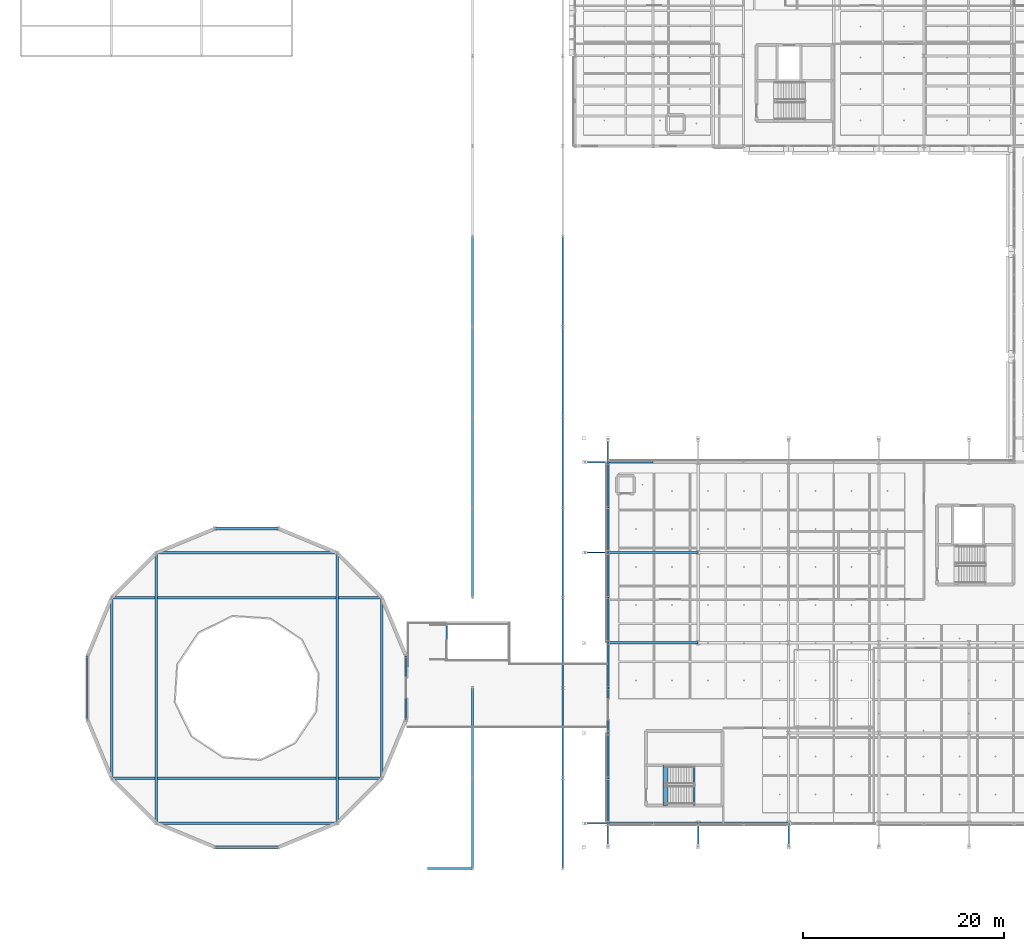
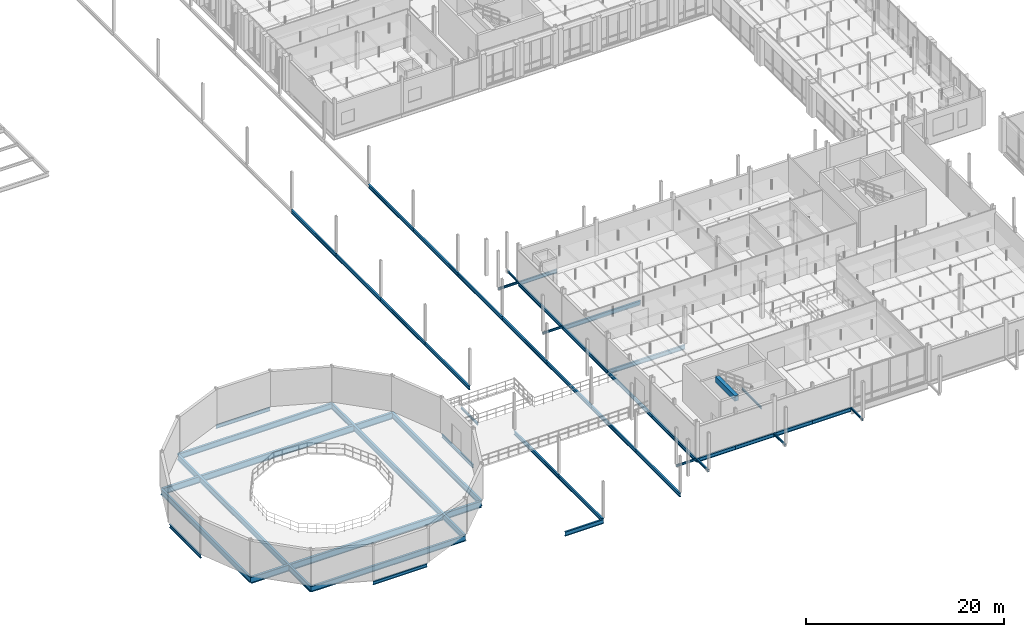
# One storey, part 23 of 130: 51 beams.
"""IFC4 building model written with IfcOpenShell, lengths in metres."""

from ifc_helpers import new_model, si_unit, direction, frame, origin, origin_2d, place, context, subcontext, project, spatial, rectangle, i_section, extrude, material, material_profile, profile_set, type_object, element, save


model = new_model("IFC4")

# Units and contexts
model_context = context("Model", 3, precision=1e-05, world=origin(), true_north=direction((0.0, 1.0)))
body_context = subcontext(model_context, "Body", "Model", "MODEL_VIEW")
ifc_project = project(units=[si_unit("LENGTHUNIT", "METRE"), si_unit("AREAUNIT", "SQUARE_METRE"), si_unit("VOLUMEUNIT", "CUBIC_METRE"), si_unit("PLANEANGLEUNIT", "RADIAN"), si_unit("MASSUNIT", "GRAM", prefix="KILO"), si_unit("THERMODYNAMICTEMPERATUREUNIT", "KELVIN"), si_unit("POWERUNIT", "WATT")], contexts=[model_context])

# Site, building, storey
site_placement = place(None, origin())
site = spatial("IfcSite", under=ifc_project, at=site_placement, CompositionType="ELEMENT")
building_placement = place(site_placement, origin())
building = spatial("IfcBuilding", under=site, at=building_placement, Name="Tallowbark Science Centre", CompositionType="ELEMENT")
storey_placement = place(building_placement, frame((0.0, 0.0, 5.39990234375)))
storey = spatial("IfcBuildingStorey", under=building, at=storey_placement, Name="L01", CompositionType="ELEMENT", Elevation=5.39990234375)

# Beams
ifc_material_1 = material(Name="Concrete Grade N40 (40 MPa)", Category="concrete")
ifc_material_profile_1 = material_profile(ifc_material_1, rectangle(XDim=0.449951171875, YDim=0.64990234375, at=origin_2d()), Name="RC450x650")
ifc_profile_set_1 = profile_set([ifc_material_profile_1], Name="Concrete Grade N40 (40 MPa)")
beam_type_1 = type_object("IfcBeamType", Name="BM-GB2-N40", PredefinedType="BEAM", material=ifc_profile_set_1)
beam_1_placement = place(storey_placement, frame((64.2099609375, 6.300048828125, 4.175048828125), z_axis=(0.0, 1.0, 0.0), x_axis=(-1.0, 0.0, 0.0)))
element("IfcBeam", 1, at=beam_1_placement, inside=storey, type_object=beam_type_1, Name="Stair ST-07 Landing Nosing Beam L01", PredefinedType="BEAM", context=body_context, shape_type="SweptSolid", body=[
    extrude(rectangle(XDim=0.449951171875, YDim=0.64990234375, at=origin_2d()), origin(), (0.0, 0.0, 1.0), 3.994873046875),
])
ifc_material_2 = material(Name="White Architectural Painted Steel Grade C350L0 (350 MPa)", Category="steel")
ifc_material_profile_2 = material_profile(ifc_material_2, i_section(OverallWidth=0.146484375, OverallDepth=0.256103515625, WebThickness=0.00634765625, FlangeThickness=0.010986328125, FilletRadius=0.0087890625, at=origin_2d()), Name="250UB37.3")
ifc_profile_set_2 = profile_set([ifc_material_profile_2], Name="White Architectural Painted Steel Grade C350L0 (350 MPa)")
beam_type_2 = type_object("IfcBeamType", Name="BM-OUT250", PredefinedType="BEAM", material=ifc_profile_set_2)
for number, where, z_axis, x_axis, name in (
    (2, (58.5, 4.5, -0.25), (0.0, -1.0, 0.0), (1.0, 0.0, 0.0), "Star Screen Outrigger Tie Beam S-1"),
    (3, (58.5, 40.5, -0.25), (0.0, 1.0, 0.0), (-1.0, 0.0, 0.0), "Star Screen Outrigger Tie Beam N-2"),
    (4, (67.5, 4.5, -0.25), (0.0, -1.0, 0.0), (1.0, 0.0, 0.0), "Star Screen Outrigger Tie Beam S-3"),
    (5, (76.5, 4.5, -0.25), (0.0, -1.0, 0.0), (1.0, 0.0, 0.0), "Star Screen Outrigger Tie Beam S-5"),
    (6, (58.5, 4.5, -0.25), (-1.0, 0.0, 0.0), (0.0, -1.0, 0.0), "Star Screen Outrigger Tie Beam W-12"),
    (7, (58.5, 31.5, -0.25), (-1.0, 0.0, 0.0), (0.0, -1.0, 0.0), "Star Screen Outrigger Tie Beam W-16"),
    (8, (58.5, 40.5, -0.25), (-1.0, 0.0, 0.0), (0.0, -1.0, 0.0), "Star Screen Outrigger Tie Beam W-18"),
):
    element("IfcBeam", number, at=place(storey_placement, frame(where, z_axis=z_axis, x_axis=x_axis)), inside=storey, type_object=beam_type_2, Name=name, PredefinedType="BEAM", context=body_context, shape_type="SweptSolid", body=[
        extrude(i_section(OverallWidth=0.146484375, OverallDepth=0.256103515625, WebThickness=0.00634765625, FlangeThickness=0.010986328125, FilletRadius=0.0087890625, at=origin_2d()), origin(), (0.0, 0.0, 1.0), 2.39990234375),
    ])
ifc_material_3 = material(Name="Structural Steel Grade 300PLUS (300 MPa)", Category="steel")
ifc_material_profile_3 = material_profile(ifc_material_3, i_section(OverallWidth=0.177734375, OverallDepth=0.406494140625, WebThickness=0.0078125, FlangeThickness=0.0126953125, FilletRadius=0.011474609375, at=origin_2d()), Name="410UB59.7")
ifc_profile_set_3 = profile_set([ifc_material_profile_3], Name="Structural Steel Grade 300PLUS (300 MPa)")
beam_type_3 = type_object("IfcBeamType", Name="BM-UB410", PredefinedType="BEAM", material=ifc_profile_set_3)
for number, where, z_axis, x_axis, name in (
    (9, (19.339599609375, 2.111328125, -0.383056640625), (1.0, 0.0, 0.0), (0.0, 1.0, 0.0), "Primary Girder GRDX-L01-193-257-21"),
    (10, (19.339599609375, 33.888671875, -0.383056640625), (1.0, 0.0, 0.0), (0.0, 1.0, 0.0), "Primary Girder GRDX-L01-193-257-339"),
    (11, (6.611328125, 14.839599609375, -0.383056640625), (0.0, 1.0, 0.0), (-1.0, 0.0, 0.0), "Primary Girder GRDY-L01-66-148-212"),
    (12, (38.388671875, 14.839599609375, -0.383056640625), (0.0, 1.0, 0.0), (-1.0, 0.0, 0.0), "Primary Girder GRDY-L01-384-148-212"),
):
    element("IfcBeam", number, at=place(storey_placement, frame(where, z_axis=z_axis, x_axis=x_axis)), inside=storey, type_object=beam_type_3, Name=name, PredefinedType="BEAM", context=body_context, shape_type="SweptSolid", body=[
        extrude(i_section(OverallWidth=0.177734375, OverallDepth=0.406494140625, WebThickness=0.0078125, FlangeThickness=0.0126953125, FilletRadius=0.011474609375, at=origin_2d()), origin(), (0.0, 0.0, 1.0), 6.32080078125),
    ])
ifc_material_profile_4 = material_profile(ifc_material_3, i_section(OverallWidth=0.208984375, OverallDepth=0.532958984375, WebThickness=0.01025390625, FlangeThickness=0.015625, FilletRadius=0.013916015625, at=origin_2d()), Name="530UB92.4")
ifc_profile_set_4 = profile_set([ifc_material_profile_4], Name="Structural Steel Grade 300PLUS (300 MPa)")
beam_type_4 = type_object("IfcBeamType", Name="BM-UB530A", PredefinedType="BEAM", material=ifc_profile_set_4)
for number, where, z_axis, x_axis, name in (
    (13, (58.5, 22.5, -0.4462890625), (1.0, 0.0, 0.0), (0.0, 1.0, 0.0), "Primary Girder GRDX-L01-585-675-225"),
    (14, (58.5, 31.5, -0.4462890625), (1.0, 0.0, 0.0), (0.0, 1.0, 0.0), "Primary Girder GRDX-L01-585-675-315"),
):
    element("IfcBeam", number, at=place(storey_placement, frame(where, z_axis=z_axis, x_axis=x_axis)), inside=storey, type_object=beam_type_4, Name=name, PredefinedType="BEAM", context=body_context, shape_type="SweptSolid", body=[
        extrude(i_section(OverallWidth=0.208984375, OverallDepth=0.532958984375, WebThickness=0.01025390625, FlangeThickness=0.015625, FilletRadius=0.013916015625, at=origin_2d()), origin(), (0.0, 0.0, 1.0), 9.0),
    ])
ifc_material_profile_5 = material_profile(ifc_material_3, i_section(OverallWidth=0.25, OverallDepth=0.699951171875, WebThickness=0.010009765625, FlangeThickness=0.02001953125, FilletRadius=0.013916015625, at=origin_2d()), Name="700WB130")
ifc_profile_set_5 = profile_set([ifc_material_profile_5], Name="Structural Steel Grade 300PLUS (300 MPa)")
beam_type_5 = type_object("IfcBeamType", Name="BM-WB700", PredefinedType="BEAM", material=ifc_profile_set_5)
for number, where, z_axis, x_axis, name in (
    (15, (13.499755859375, 4.5302734375, -0.52978515625), (1.0, 0.0, 0.0), (0.0, 1.0, 0.0), "Primary Girder GRDX-L01-135-315-45"),
    (16, (13.499755859375, 31.4697265625, -0.52978515625), (1.0, 0.0, 0.0), (0.0, 1.0, 0.0), "Primary Girder GRDX-L01-135-315-315"),
    (17, (9.0302734375, 8.999755859375, -0.52978515625), (0.0, 1.0, 0.0), (-1.0, 0.0, 0.0), "Primary Girder GRDY-L01-90-90-270"),
):
    element("IfcBeam", number, at=place(storey_placement, frame(where, z_axis=z_axis, x_axis=x_axis)), inside=storey, type_object=beam_type_5, Name=name, PredefinedType="BEAM", context=body_context, shape_type="SweptSolid", body=[
        extrude(i_section(OverallWidth=0.25, OverallDepth=0.699951171875, WebThickness=0.010009765625, FlangeThickness=0.02001953125, FilletRadius=0.013916015625, at=origin_2d()), origin(), (0.0, 0.0, 1.0), 18.00048828125),
    ])
for number, where, z_axis, x_axis, name in (
    (18, (13.499755859375, 4.5302734375, -0.52978515625), (0.0, 1.0, 0.0), (-1.0, 0.0, 0.0), "Primary Girder GRDY-L01-135-45-315"),
    (19, (31.500244140625, 4.5302734375, -0.52978515625), (0.0, 1.0, 0.0), (-1.0, 0.0, 0.0), "Primary Girder GRDY-L01-315-45-315"),
):
    element("IfcBeam", number, at=place(storey_placement, frame(where, z_axis=z_axis, x_axis=x_axis)), inside=storey, type_object=beam_type_5, Name=name, PredefinedType="BEAM", context=body_context, shape_type="SweptSolid", body=[
        extrude(i_section(OverallWidth=0.25, OverallDepth=0.699951171875, WebThickness=0.010009765625, FlangeThickness=0.02001953125, FilletRadius=0.013916015625, at=origin_2d()), origin(), (0.0, 0.0, 1.0), 26.939453125),
    ])
beam_2_placement = place(storey_placement, frame((35.9697265625, 8.999755859375, -0.52978515625), z_axis=(0.0, 1.0, 0.0), x_axis=(-1.0, 0.0, 0.0)))
element("IfcBeam", 20, at=beam_2_placement, inside=storey, type_object=beam_type_5, Name="Primary Girder GRDY-L01-360-90-270", PredefinedType="BEAM", context=body_context, shape_type="SweptSolid", body=[
    extrude(i_section(OverallWidth=0.25, OverallDepth=0.699951171875, WebThickness=0.010009765625, FlangeThickness=0.02001953125, FilletRadius=0.013916015625, at=origin_2d()), origin(), (0.0, 0.0, 1.0), 18.00048828125),
])
ifc_material_profile_6 = material_profile(ifc_material_3, i_section(OverallWidth=0.27490234375, OverallDepth=0.7919921875, WebThickness=0.011962890625, FlangeThickness=0.02001953125, FilletRadius=0.013916015625, at=origin_2d()), Name="800WB146")
ifc_profile_set_6 = profile_set([ifc_material_profile_6], Name="Structural Steel Grade 300PLUS (300 MPa)")
beam_type_6 = type_object("IfcBeamType", Name="BM-WB800", PredefinedType="BEAM", material=ifc_profile_set_6)
for number, where, z_axis, x_axis, name in (
    (21, (9.0302734375, 8.999755859375, -0.575927734375), (1.0, 0.0, 0.0), (0.0, 1.0, 0.0), "Primary Girder GRDX-L01-90-360-90"),
    (22, (9.0302734375, 27.000244140625, -0.575927734375), (1.0, 0.0, 0.0), (0.0, 1.0, 0.0), "Primary Girder GRDX-L01-90-360-270"),
):
    element("IfcBeam", number, at=place(storey_placement, frame(where, z_axis=z_axis, x_axis=x_axis)), inside=storey, type_object=beam_type_6, Name=name, PredefinedType="BEAM", context=body_context, shape_type="SweptSolid", body=[
        extrude(i_section(OverallWidth=0.27490234375, OverallDepth=0.7919921875, WebThickness=0.011962890625, FlangeThickness=0.02001953125, FilletRadius=0.013916015625, at=origin_2d()), origin(), (0.0, 0.0, 1.0), 26.939453125),
    ])
ifc_material_profile_7 = material_profile(ifc_material_3, i_section(OverallWidth=0.146484375, OverallDepth=0.256103515625, WebThickness=0.00634765625, FlangeThickness=0.010986328125, FilletRadius=0.0087890625, at=origin_2d()), Name="250UB37.3")
ifc_profile_set_7 = profile_set([ifc_material_profile_7], Name="Structural Steel Grade 300PLUS (300 MPa)")
beam_type_7 = type_object("IfcBeamType", Name="JST-UB250", PredefinedType="JOIST", material=ifc_profile_set_7)
beam_3_placement = place(storey_placement, frame((67.125, 6.300048828125, 1.922119140625), z_axis=(0.0, 1.0, 0.0), x_axis=(-1.0, 0.0, 0.0)))
element("IfcBeam", 23, at=beam_3_placement, inside=storey, type_object=beam_type_7, Name="Stair ST-07 Half-Landing Trimmer L01", PredefinedType="JOIST", context=body_context, shape_type="SweptSolid", body=[
    extrude(i_section(OverallWidth=0.146484375, OverallDepth=0.256103515625, WebThickness=0.00634765625, FlangeThickness=0.010986328125, FilletRadius=0.0087890625, at=origin_2d()), origin(), (0.0, 0.0, 1.0), 3.994873046875),
])
beam_4_placement = place(storey_placement, frame((42.449951171875, 20.949951171875, -0.309814453125), z_axis=(0.0, 1.0, 0.0), x_axis=(-1.0, 0.0, 0.0)))
element("IfcBeam", 24, at=beam_4_placement, inside=storey, type_object=beam_type_7, Name="Exterior Stair L01 Arrival Nosing Beam", PredefinedType="JOIST", context=body_context, shape_type="SweptSolid", body=[
    extrude(i_section(OverallWidth=0.146484375, OverallDepth=0.256103515625, WebThickness=0.00634765625, FlangeThickness=0.010986328125, FilletRadius=0.0087890625, at=origin_2d()), origin(), (0.0, 0.0, 1.0), 3.400146484375),
])
ifc_material_profile_8 = material_profile(ifc_material_3, i_section(OverallWidth=0.208984375, OverallDepth=0.532958984375, WebThickness=0.01025390625, FlangeThickness=0.015625, FilletRadius=0.013916015625, at=origin_2d()), Name="530UB92.4")
ifc_profile_set_8 = profile_set([ifc_material_profile_8], Name="Structural Steel Grade 300PLUS (300 MPa)")
beam_type_8 = type_object("IfcBeamType", Name="LNT-UB530", PredefinedType="LINTEL", material=ifc_profile_set_8)
beam_5_placement = place(storey_placement, frame((40.5, 0.0, -0.4462890625), z_axis=(1.0, 0.0, 0.0), x_axis=(0.0, 1.0, 0.0)))
element("IfcBeam", 25, at=beam_5_placement, inside=storey, type_object=beam_type_8, Name="Primary Girder GRDX-L01-405-450-0", PredefinedType="LINTEL", context=body_context, shape_type="SweptSolid", body=[
    extrude(i_section(OverallWidth=0.208984375, OverallDepth=0.532958984375, WebThickness=0.01025390625, FlangeThickness=0.015625, FilletRadius=0.013916015625, at=origin_2d()), origin(), (0.0, 0.0, 1.0), 4.5),
])
ifc_material_profile_9 = material_profile(ifc_material_3, i_section(OverallWidth=0.18994140625, OverallDepth=0.453857421875, WebThickness=0.008544921875, FlangeThickness=0.0126953125, FilletRadius=0.011474609375, at=origin_2d()), Name="460UB67.1")
ifc_profile_set_9 = profile_set([ifc_material_profile_9], Name="Structural Steel Grade 300PLUS (300 MPa)")
beam_type_9 = type_object("IfcBeamType", Name="SPN-UB460", PredefinedType="SPANDREL", material=ifc_profile_set_9)
for number, where, z_axis, x_axis, name in (
    (26, (58.5, 4.5, -0.40673828125), (1.0, 0.0, 0.0), (0.0, 1.0, 0.0), "Primary Girder GRDX-L01-585-630-45"),
    (27, (63.0, 4.5, -0.40673828125), (1.0, 0.0, 0.0), (0.0, 1.0, 0.0), "Primary Girder GRDX-L01-630-675-45"),
    (28, (67.5, 4.5, -0.40673828125), (1.0, 0.0, 0.0), (0.0, 1.0, 0.0), "Primary Girder GRDX-L01-675-720-45"),
    (29, (72.0, 4.5, -0.40673828125), (1.0, 0.0, 0.0), (0.0, 1.0, 0.0), "Primary Girder GRDX-L01-720-765-45"),
    (30, (58.5, 40.5, -0.40673828125), (1.0, 0.0, 0.0), (0.0, 1.0, 0.0), "Primary Girder GRDX-L01-585-630-405"),
):
    element("IfcBeam", number, at=place(storey_placement, frame(where, z_axis=z_axis, x_axis=x_axis)), inside=storey, type_object=beam_type_9, Name=name, PredefinedType="SPANDREL", context=body_context, shape_type="SweptSolid", body=[
        extrude(i_section(OverallWidth=0.18994140625, OverallDepth=0.453857421875, WebThickness=0.008544921875, FlangeThickness=0.0126953125, FilletRadius=0.011474609375, at=origin_2d()), origin(), (0.0, 0.0, 1.0), 4.5),
    ])
for number, where, z_axis, x_axis, name in (
    (31, (45.0, 0.0, -0.40673828125), (0.0, 1.0, 0.0), (-1.0, 0.0, 0.0), "Primary Girder GRDY-L01-450-0-90"),
    (32, (45.0, 9.0, -0.40673828125), (0.0, 1.0, 0.0), (-1.0, 0.0, 0.0), "Primary Girder GRDY-L01-450-90-180"),
    (33, (45.0, 27.0, -0.40673828125), (0.0, 1.0, 0.0), (-1.0, 0.0, 0.0), "Primary Girder GRDY-L01-450-270-360"),
    (34, (45.0, 36.0, -0.40673828125), (0.0, 1.0, 0.0), (-1.0, 0.0, 0.0), "Primary Girder GRDY-L01-450-360-450"),
    (35, (45.0, 45.0, -0.40673828125), (0.0, 1.0, 0.0), (-1.0, 0.0, 0.0), "Primary Girder GRDY-L01-450-450-540"),
    (36, (45.0, 54.0, -0.40673828125), (0.0, 1.0, 0.0), (-1.0, 0.0, 0.0), "Primary Girder GRDY-L01-450-540-630"),
    (37, (54.0, 0.0, -0.40673828125), (0.0, 1.0, 0.0), (-1.0, 0.0, 0.0), "Primary Girder GRDY-L01-540-0-90"),
    (38, (54.0, 9.0, -0.40673828125), (0.0, 1.0, 0.0), (-1.0, 0.0, 0.0), "Primary Girder GRDY-L01-540-90-180"),
    (39, (54.0, 18.0, -0.40673828125), (0.0, 1.0, 0.0), (-1.0, 0.0, 0.0), "Primary Girder GRDY-L01-540-180-270"),
    (40, (54.0, 27.0, -0.40673828125), (0.0, 1.0, 0.0), (-1.0, 0.0, 0.0), "Primary Girder GRDY-L01-540-270-360"),
    (41, (54.0, 36.0, -0.40673828125), (0.0, 1.0, 0.0), (-1.0, 0.0, 0.0), "Primary Girder GRDY-L01-540-360-450"),
    (42, (54.0, 45.0, -0.40673828125), (0.0, 1.0, 0.0), (-1.0, 0.0, 0.0), "Primary Girder GRDY-L01-540-450-540"),
    (43, (54.0, 54.0, -0.40673828125), (0.0, 1.0, 0.0), (-1.0, 0.0, 0.0), "Primary Girder GRDY-L01-540-540-630"),
):
    element("IfcBeam", number, at=place(storey_placement, frame(where, z_axis=z_axis, x_axis=x_axis)), inside=storey, type_object=beam_type_9, Name=name, PredefinedType="SPANDREL", context=body_context, shape_type="SweptSolid", body=[
        extrude(i_section(OverallWidth=0.18994140625, OverallDepth=0.453857421875, WebThickness=0.008544921875, FlangeThickness=0.0126953125, FilletRadius=0.011474609375, at=origin_2d()), origin(), (0.0, 0.0, 1.0), 9.0),
    ])
for number, where, z_axis, x_axis, name in (
    (44, (58.5, 4.5, -0.40673828125), (0.0, 1.0, 0.0), (-1.0, 0.0, 0.0), "Primary Girder GRDY-L01-585-45-90"),
    (45, (58.5, 9.0, -0.40673828125), (0.0, 1.0, 0.0), (-1.0, 0.0, 0.0), "Primary Girder GRDY-L01-585-90-135"),
    (46, (58.5, 13.5, -0.40673828125), (0.0, 1.0, 0.0), (-1.0, 0.0, 0.0), "Primary Girder GRDY-L01-585-135-180"),
    (47, (58.5, 18.0, -0.40673828125), (0.0, 1.0, 0.0), (-1.0, 0.0, 0.0), "Primary Girder GRDY-L01-585-180-225"),
    (48, (58.5, 22.5, -0.40673828125), (0.0, 1.0, 0.0), (-1.0, 0.0, 0.0), "Primary Girder GRDY-L01-585-225-270"),
    (49, (58.5, 27.0, -0.40673828125), (0.0, 1.0, 0.0), (-1.0, 0.0, 0.0), "Primary Girder GRDY-L01-585-270-315"),
    (50, (58.5, 31.5, -0.40673828125), (0.0, 1.0, 0.0), (-1.0, 0.0, 0.0), "Primary Girder GRDY-L01-585-315-360"),
    (51, (58.5, 36.0, -0.40673828125), (0.0, 1.0, 0.0), (-1.0, 0.0, 0.0), "Primary Girder GRDY-L01-585-360-405"),
):
    element("IfcBeam", number, at=place(storey_placement, frame(where, z_axis=z_axis, x_axis=x_axis)), inside=storey, type_object=beam_type_9, Name=name, PredefinedType="SPANDREL", context=body_context, shape_type="SweptSolid", body=[
        extrude(i_section(OverallWidth=0.18994140625, OverallDepth=0.453857421875, WebThickness=0.008544921875, FlangeThickness=0.0126953125, FilletRadius=0.011474609375, at=origin_2d()), origin(), (0.0, 0.0, 1.0), 4.5),
    ])

save(model, "model.ifc")
